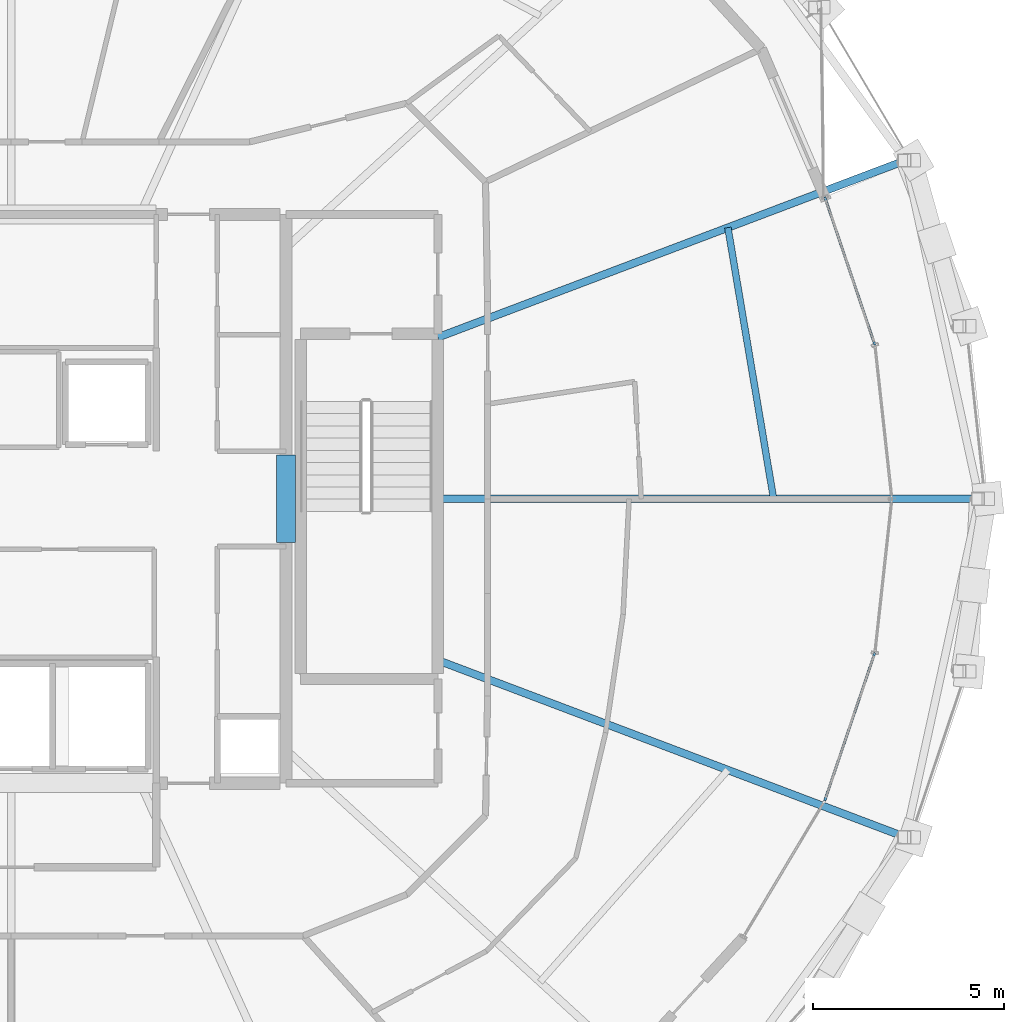
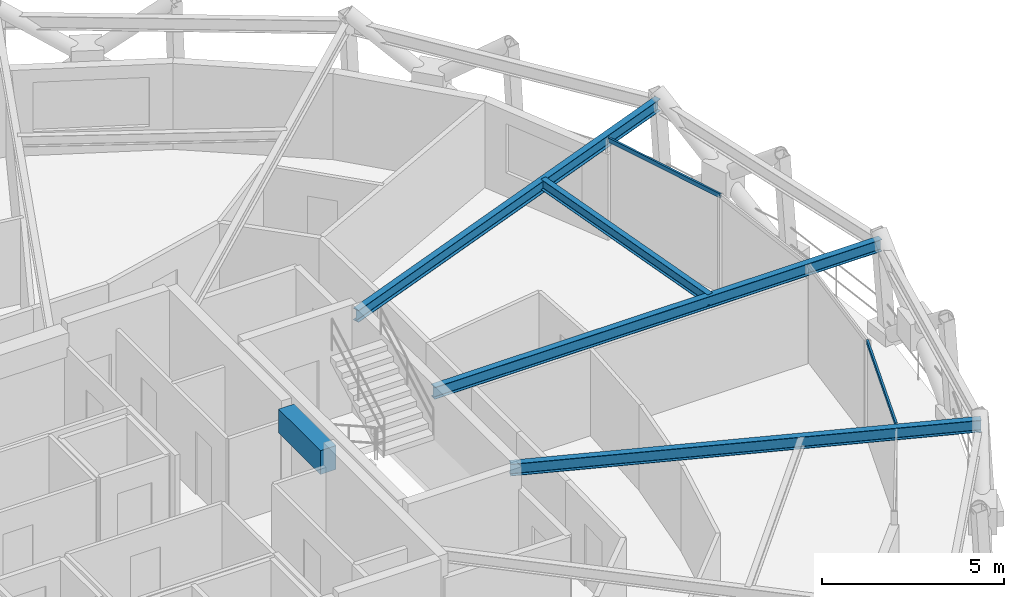
# One storey, part 7 of 17: 5 beams, 2 members, 1 element without a shape of its own.
"""IFC4 building model written with IfcOpenShell, lengths in metres."""

from ifc_helpers import new_model, si_unit, direction, frame, origin, origin_2d, place, context, subcontext, project, spatial, rectangle, hollow_rectangle, i_section, extrude, material, layer, layer_set, material_profile, profile_set, type_object, element, aggregate, save


model = new_model("IFC4")

# Units and contexts
model_context = context("Model", 3, precision=1e-05, world=origin(), true_north=direction((0.0, 1.0)))
body_context = subcontext(model_context, "Body", "Model", "MODEL_VIEW")
ifc_project = project(units=[si_unit("LENGTHUNIT", "METRE"), si_unit("AREAUNIT", "SQUARE_METRE"), si_unit("VOLUMEUNIT", "CUBIC_METRE"), si_unit("PLANEANGLEUNIT", "RADIAN"), si_unit("MASSUNIT", "GRAM", prefix="KILO")], contexts=[model_context])

# Site, building, storey
site_placement = place(None, origin())
site = spatial("IfcSite", under=ifc_project, at=site_placement, CompositionType="ELEMENT")
building_placement = place(site_placement, origin())
building = spatial("IfcBuilding", under=site, at=building_placement, Name="Veldorina Hangang Commons", CompositionType="ELEMENT")
storey_placement = place(building_placement, frame((0.0, 0.0, 214.800048828125)))
storey = spatial("IfcBuildingStorey", under=building, at=storey_placement, Name="L55", CompositionType="ELEMENT", Elevation=214.800048828125)

# Beams
ifc_material_1 = material(Name="Concrete C50/60", Category="concrete")
ifc_material_profile_1 = material_profile(ifc_material_1, rectangle(XDim=0.5, YDim=0.800048828125, at=origin_2d()), Name="RC-CB-500x800")
ifc_profile_set_1 = profile_set([ifc_material_profile_1], Name="Concrete C50/60")
beam_type_1 = type_object("IfcBeamType", Name="BM-CB800", PredefinedType="LINTEL", material=ifc_profile_set_1)
beam_1_placement = place(storey_placement, frame((39.199951171875, 22.85009765625, 2.9599609375), z_axis=(0.0, 1.0, 0.0), x_axis=(-1.0, 0.0, 0.0)))
element("IfcBeam", 1, at=beam_1_placement, inside=storey, type_object=beam_type_1, Name="L55 E core coupling lintel beam", PredefinedType="LINTEL", context=body_context, shape_type="SweptSolid", body=[
    extrude(rectangle(XDim=0.5, YDim=0.800048828125, at=origin_2d()), origin(), (0.0, 0.0, 1.0), 2.2998046875),
])
ifc_material_2 = material(Name="Steel SM355-TMC", Category="steel")
ifc_material_profile_2 = material_profile(ifc_material_2, i_section(OverallWidth=0.199951171875, OverallDepth=0.39990234375, WebThickness=0.008056640625, FlangeThickness=0.012939453125, FilletRadius=0.012939453125, at=origin_2d()), Name="H-400x200x8x13")
ifc_profile_set_2 = profile_set([ifc_material_profile_2], Name="Steel SM355-TMC")
beam_type_2 = type_object("IfcBeamType", Name="BM-FG400", PredefinedType="BEAM", material=ifc_profile_set_2)
beam_2_placement = place(storey_placement, frame((43.179931640625, 24.0, 3.159912109375), z_axis=(1.0, 0.0, 0.0), x_axis=(0.0, 1.0, 0.0)))
element("IfcBeam", 2, at=beam_2_placement, inside=storey, type_object=beam_type_2, Name="L55 radial floor girder 01", PredefinedType="BEAM", context=body_context, shape_type="SweptSolid", body=[
    extrude(i_section(OverallWidth=0.199951171875, OverallDepth=0.39990234375, WebThickness=0.008056640625, FlangeThickness=0.012939453125, FilletRadius=0.012939453125, at=origin_2d()), origin(), (0.0, 0.0, 1.0), 14.1826171875),
])
for number, where, z_axis, x_axis, name in (
    (3, (43.179931640625, 28.230224609375, 3.159912109375), (0.93528342316, 0.353899587964, 0.0), (-0.353899587964, 0.93528342316, 0.0), "L55 radial floor girder 02"),
    (4, (43.179931640625, 19.769775390625, 3.159912109375), (0.93528342316, -0.353899587964, 0.0), (0.353899587964, 0.93528342316, 0.0), "L55 radial floor girder 16"),
):
    element("IfcBeam", number, at=place(storey_placement, frame(where, z_axis=z_axis, x_axis=x_axis)), inside=storey, type_object=beam_type_2, Name=name, PredefinedType="BEAM", context=body_context, shape_type="SweptSolid", body=[
        extrude(i_section(OverallWidth=0.199951171875, OverallDepth=0.39990234375, WebThickness=0.008056640625, FlangeThickness=0.012939453125, FilletRadius=0.012939453125, at=origin_2d()), origin(), (0.0, 0.0, 1.0), 13.099609375),
    ])
ifc_material_profile_3 = material_profile(ifc_material_2, i_section(OverallWidth=0.175048828125, OverallDepth=0.35009765625, WebThickness=0.007080078125, FlangeThickness=0.010986328125, FilletRadius=0.012939453125, at=origin_2d()), Name="H-350x175x7x11")
ifc_profile_set_3 = profile_set([ifc_material_profile_3], Name="Steel SM355-TMC")
beam_type_3 = type_object("IfcBeamType", Name="BM-JST350", PredefinedType="JOIST", material=ifc_profile_set_3)
beam_3_placement = place(storey_placement, frame((51.97314453125, 24.0, 3.18505859375), z_axis=(-0.166146180768, 0.986101134071, 0.0), x_axis=(-0.986101134071, -0.166146180768, 0.0)))
element("IfcBeam", 5, at=beam_3_placement, inside=storey, type_object=beam_type_3, Name="L55 secondary floor joist 01", PredefinedType="JOIST", context=body_context, shape_type="SweptSolid", body=[
    extrude(i_section(OverallWidth=0.175048828125, OverallDepth=0.35009765625, WebThickness=0.007080078125, FlangeThickness=0.010986328125, FilletRadius=0.012939453125, at=origin_2d()), origin(), (0.0, 0.0, 1.0), 7.20458984375),
])

# Curtain wall, members
ifc_material_3 = material(Name="Glass Low-E Selective", Category="glass")
ifc_layer = layer(ifc_material_3, 0.179931640625)
ifc_layer_set = layer_set([ifc_layer], Name="Glass Low-E Selective")
curtain_wall_type = type_object("IfcCurtainWallType", Name="CW-SYS-Z3", PredefinedType="NOTDEFINED", material=ifc_layer_set)
curtain_wall_placement = place(storey_placement, origin())
curtain_wall = element("IfcCurtainWall", 6, at=curtain_wall_placement, inside=storey, type_object=curtain_wall_type, Name="L55 unitised curtain wall CW-L55-R2", PredefinedType="NOTDEFINED")
ifc_material_4 = material(Name="Aluminium Anodized AA6063-T6", Category="aluminium")
ifc_material_profile_4 = material_profile(ifc_material_4, hollow_rectangle(XDim=0.06005859375, YDim=0.139892578125, WallThickness=0.00341796875, at=origin_2d()), Name="ALU-RHS-140x60x3.5")
ifc_profile_set_4 = profile_set([ifc_material_profile_4], Name="Aluminium Anodized AA6063-T6")
member_type = type_object("IfcMemberType", Name="CW-TRN-140", PredefinedType="USERDEFINED", material=ifc_profile_set_4)
member_1_placement = place(storey_placement, frame((53.31396484375, 16.09423828125, 3.280029296875), z_axis=(0.320824299879, 0.947138727224, 0.0), x_axis=(-0.947138727224, 0.320824299879, 0.0)))
member_1 = element("IfcMember", 7, at=member_1_placement, type_object=member_type, Name="CW-L55-R2 facet 2 transom 1", ObjectType="TRANSOM", PredefinedType="USERDEFINED", context=body_context, shape_type="SweptSolid", body=[
    extrude(hollow_rectangle(XDim=0.06005859375, YDim=0.139892578125, WallThickness=0.00341796875, at=origin_2d()), origin(), (0.0, 0.0, 1.0), 4.091796875),
])
member_2_placement = place(storey_placement, frame((54.626708984375, 28.0302734375, 3.280029296875), z_axis=(-0.320824299879, 0.947138727224, 0.0), x_axis=(-0.947138727224, -0.320824299879, 0.0)))
member_2 = element("IfcMember", 8, at=member_2_placement, type_object=member_type, Name="CW-L55-R2 facet 5 transom 1", ObjectType="TRANSOM", PredefinedType="USERDEFINED", context=body_context, shape_type="SweptSolid", body=[
    extrude(hollow_rectangle(XDim=0.06005859375, YDim=0.139892578125, WallThickness=0.00341796875, at=origin_2d()), origin(), (0.0, 0.0, 1.0), 4.091796875),
])
aggregate(curtain_wall, [member_1, member_2])

save(model, "model.ifc")
